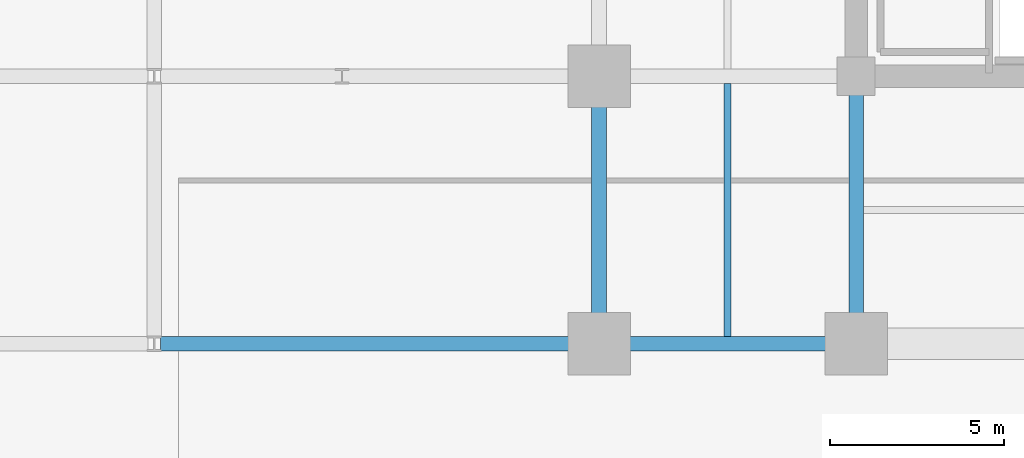
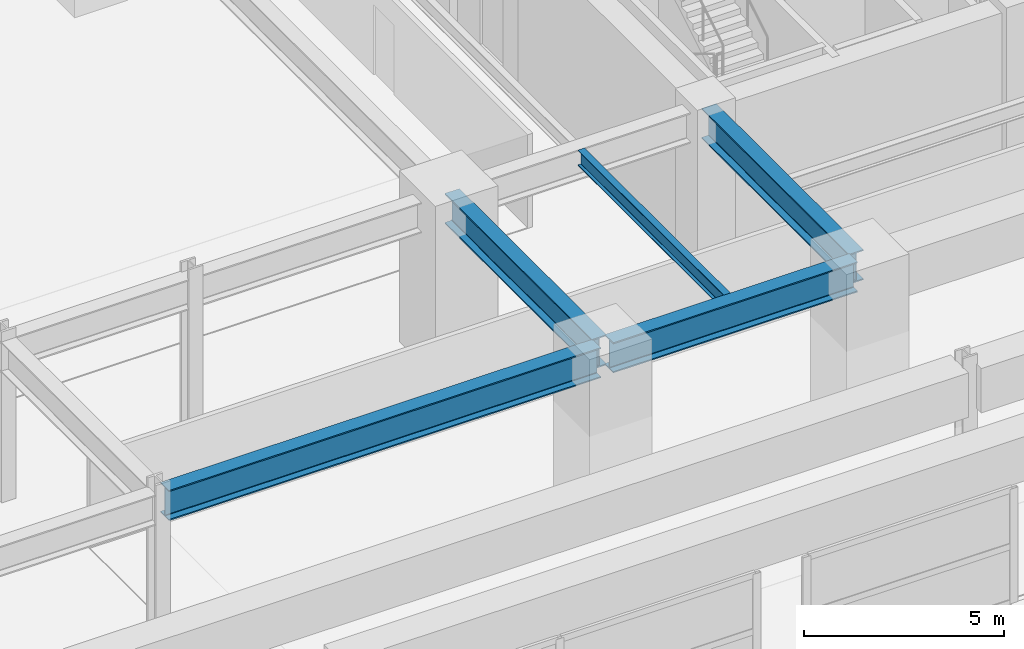
# One storey, part 8 of 45: 5 beams.
"""IFC4 building model written with IfcOpenShell, lengths in metres."""

from ifc_helpers import new_model, si_unit, direction, frame, origin, origin_2d, place, context, subcontext, project, spatial, i_section, extrude, material, material_profile, profile_set, type_object, element, save


model = new_model("IFC4")

# Units and contexts
model_context = context("Model", 3, precision=1e-05, world=origin(), true_north=direction((0.0, 1.0)))
body_context = subcontext(model_context, "Body", "Model", "MODEL_VIEW")
ifc_project = project(units=[si_unit("LENGTHUNIT", "METRE"), si_unit("AREAUNIT", "SQUARE_METRE"), si_unit("VOLUMEUNIT", "CUBIC_METRE"), si_unit("PLANEANGLEUNIT", "RADIAN"), si_unit("MASSUNIT", "GRAM", prefix="KILO")], contexts=[model_context])

# Site, building, storey
site_placement = place(None, origin())
site = spatial("IfcSite", under=ifc_project, at=site_placement, CompositionType="ELEMENT")
building_placement = place(site_placement, origin())
building = spatial("IfcBuilding", under=site, at=building_placement, Name="Kovane Verandah Tower", CompositionType="ELEMENT")
storey_placement = place(building_placement, frame((0.0, 0.0, 6.0)))
storey = spatial("IfcBuildingStorey", under=building, at=storey_placement, Name="L01", CompositionType="ELEMENT", Elevation=6.0)

# Beams
ifc_material_1 = material(Name="Steel S460", Category="steel")
ifc_material_profile_1 = material_profile(ifc_material_1, i_section(OverallWidth=0.42041015625, OverallDepth=0.9208984375, WebThickness=0.021484375, FlangeThickness=0.03662109375, FilletRadius=0.024169921875, at=origin_2d()), Name="UB914x419x388")
ifc_profile_set_1 = profile_set([ifc_material_profile_1], Name="Steel S460")
beam_type_1 = type_object("IfcBeamType", Name="BM-UB914x388", PredefinedType="BEAM", material=ifc_profile_set_1)
beam_1_placement = place(storey_placement, frame((21.780029296875, 10.800048828125, 4.45947265625), z_axis=(1.0, 0.0, 0.0), x_axis=(0.0, 1.0, 0.0)))
element("IfcBeam", 1, at=beam_1_placement, inside=storey, type_object=beam_type_1, Name="L01 Primary Tower Girder G-RS1", PredefinedType="BEAM", context=body_context, shape_type="SweptSolid", body=[
    extrude(i_section(OverallWidth=0.42041015625, OverallDepth=0.9208984375, WebThickness=0.021484375, FlangeThickness=0.03662109375, FilletRadius=0.024169921875, at=origin_2d()), origin(), (0.0, 0.0, 1.0), 7.0400390625),
])
for number, where, z_axis, x_axis, name in (
    (2, (21.60009765625, 10.97998046875, 4.45947265625), (0.0, 1.0, 0.0), (-1.0, 0.0, 0.0), "L01 Primary Tower Girder G-RW1"),
    (3, (29.0, 18.320068359375, 4.45947265625), (0.0, -1.0, 0.0), (1.0, 0.0, 0.0), "L01 Primary Tower Girder G-S1"),
):
    element("IfcBeam", number, at=place(storey_placement, frame(where, z_axis=z_axis, x_axis=x_axis)), inside=storey, type_object=beam_type_1, Name=name, PredefinedType="BEAM", context=body_context, shape_type="SweptSolid", body=[
        extrude(i_section(OverallWidth=0.42041015625, OverallDepth=0.9208984375, WebThickness=0.021484375, FlangeThickness=0.03662109375, FilletRadius=0.024169921875, at=origin_2d()), origin(), (0.0, 0.0, 1.0), 7.340087890625),
    ])
beam_2_placement = place(storey_placement, frame((8.97998046875, 10.800048828125, 4.439453125), z_axis=(1.0, 0.0, 0.0), x_axis=(0.0, 1.0, 0.0)))
element("IfcBeam", 4, at=beam_2_placement, inside=storey, type_object=beam_type_1, Name="L01 Podium Grid Girder X02", PredefinedType="BEAM", context=body_context, shape_type="SweptSolid", body=[
    extrude(i_section(OverallWidth=0.42041015625, OverallDepth=0.9208984375, WebThickness=0.021484375, FlangeThickness=0.03662109375, FilletRadius=0.024169921875, at=origin_2d()), origin(), (0.0, 0.0, 1.0), 12.43994140625),
])
ifc_material_2 = material(Name="Steel S355", Category="steel")
ifc_material_profile_2 = material_profile(ifc_material_2, i_section(OverallWidth=0.19287109375, OverallDepth=0.46728515625, WebThickness=0.011474609375, FlangeThickness=0.01953125, FilletRadius=0.01025390625, at=origin_2d()), Name="UB457x191x98")
ifc_profile_set_2 = profile_set([ifc_material_profile_2], Name="Steel S355")
beam_type_2 = type_object("IfcBeamType", Name="JST-UB457x98", PredefinedType="JOIST", material=ifc_profile_set_2)
beam_3_placement = place(storey_placement, frame((25.300048828125, 11.00830078125, 4.686279296875), z_axis=(0.0, 1.0, 0.0), x_axis=(-1.0, 0.0, 0.0)))
element("IfcBeam", 5, at=beam_3_placement, inside=storey, type_object=beam_type_2, Name="L01 Secondary Composite Joist J-SW1", PredefinedType="JOIST", context=body_context, shape_type="SweptSolid", body=[
    extrude(i_section(OverallWidth=0.19287109375, OverallDepth=0.46728515625, WebThickness=0.011474609375, FlangeThickness=0.01953125, FilletRadius=0.01025390625, at=origin_2d()), origin(), (0.0, 0.0, 1.0), 7.283447265625),
])

save(model, "model.ifc")
